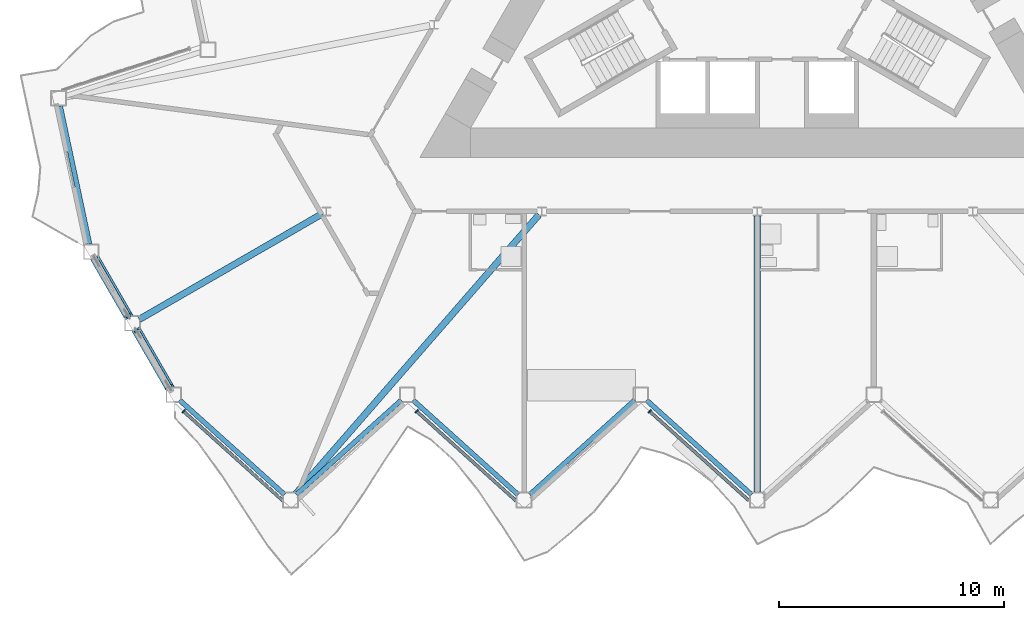
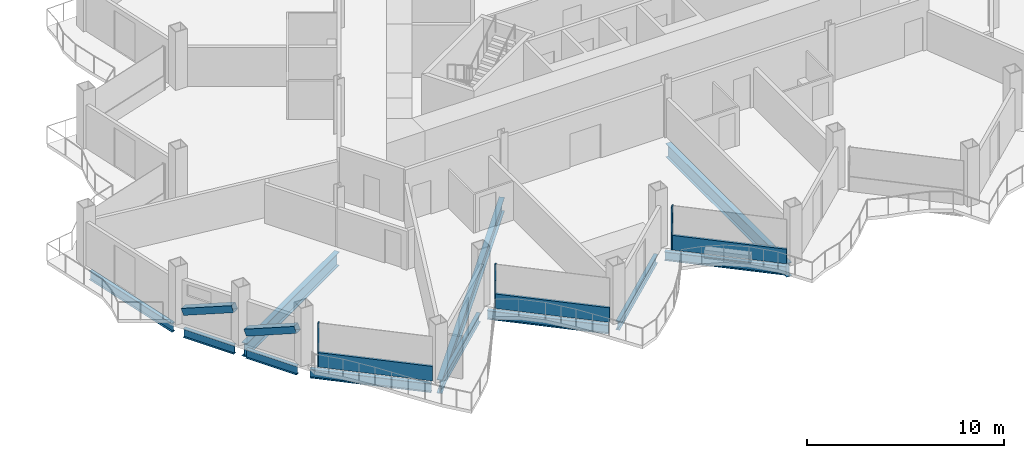
# One storey, part 4 of 23: 11 beams, 8 members, 3 elements without a shape of their own.
"""IFC4 building model written with IfcOpenShell, lengths in metres."""

from ifc_helpers import new_model, si_unit, direction, frame, origin, origin_2d, place, context, subcontext, project, spatial, rectangle, hollow_rectangle, i_section, extrude, material, layer, layer_set, material_profile, profile_set, type_object, element, aggregate, save


model = new_model("IFC4")

# Units and contexts
model_context = context("Model", 3, precision=1e-05, world=origin(), true_north=direction((0.0, 1.0)))
body_context = subcontext(model_context, "Body", "Model", "MODEL_VIEW")
ifc_project = project(units=[si_unit("LENGTHUNIT", "METRE"), si_unit("AREAUNIT", "SQUARE_METRE"), si_unit("VOLUMEUNIT", "CUBIC_METRE"), si_unit("PLANEANGLEUNIT", "RADIAN"), si_unit("MASSUNIT", "GRAM", prefix="KILO")], contexts=[model_context])

# Site, building, storey
site_placement = place(None, origin())
site = spatial("IfcSite", under=ifc_project, at=site_placement, CompositionType="ELEMENT")
building_placement = place(site_placement, origin())
building = spatial("IfcBuilding", under=site, at=building_placement, Name="Cormorant Prow Tower", CompositionType="ELEMENT")
storey_placement = place(building_placement, frame((0.0, 0.0, 252.60009765625)))
storey = spatial("IfcBuildingStorey", under=building, at=storey_placement, Name="L56", CompositionType="ELEMENT", Elevation=252.60009765625)

# Members
ifc_material_1 = material(Name="Structural steel ASTM A500 Gr C", Category="steel")
ifc_material_profile_1 = material_profile(ifc_material_1, hollow_rectangle(XDim=0.406494140625, YDim=0.406494140625, WallThickness=0.01171875, at=origin_2d()), Name="HSS16x16x1/2")
ifc_profile_set_1 = profile_set([ifc_material_profile_1], Name="Structural steel ASTM A500 Gr C")
member_type_1 = type_object("IfcMemberType", Name="Chamfer brace HSS16x16x1/2", PredefinedType="BRACE", material=ifc_profile_set_1)
for number, where, z_axis, x_axis, name in (
    (1, (-29.4287109375, -13.174560546875, 0.74951171875), (0.462773096913, -0.801606962687, 0.378506721399), (0.866041729639, 0.499971721724, 0.0), "Chamfer brace BR2 at WSW00 L56"),
    (2, (-27.593505859375, -16.353271484375, 0.74951171875), (0.462773096913, -0.801606962687, 0.378506721399), (0.866041729639, 0.499971721724, 0.0), "Chamfer brace BR2 at WSW01 L56"),
):
    element("IfcMember", number, at=place(storey_placement, frame(where, z_axis=z_axis, x_axis=x_axis)), inside=storey, type_object=member_type_1, Name=name, PredefinedType="BRACE", context=body_context, shape_type="SweptSolid", body=[
        extrude(hollow_rectangle(XDim=0.406494140625, YDim=0.406494140625, WallThickness=0.01171875, at=origin_2d()), origin(), (0.0, 0.0, 1.0), 3.17529296875),
    ])

# Curtain wall, member
ifc_material_2 = material(Name="Aluminium 6063-T6", Category="aluminium")
ifc_layer = layer(ifc_material_2, 0.179931640625)
ifc_layer_set = layer_set([ifc_layer], Name="Aluminium 6063-T6")
curtain_wall_type = type_object("IfcCurtainWallType", Name="Hotel unitised curtain wall 180", PredefinedType="NOTDEFINED", material=ifc_layer_set)
curtain_wall_1_placement = place(storey_placement, origin())
curtain_wall_1 = element("IfcCurtainWall", 3, at=curtain_wall_1_placement, inside=storey, type_object=curtain_wall_type, Name="Hotel curtain wall S00", PredefinedType="NOTDEFINED")
ifc_material_3 = material(Name="Aluminium 6063-T6", Category="aluminium")
ifc_material_profile_2 = material_profile(ifc_material_3, rectangle(XDim=0.179931640625, YDim=0.06005859375, at=origin_2d()), Name="Hotel mullion 60x180")
ifc_profile_set_2 = profile_set([ifc_material_profile_2], Name="Aluminium 6063-T6")
member_type_2 = type_object("IfcMemberType", Name="Hotel mullion 60x180", PredefinedType="MULLION", material=ifc_profile_set_2)
member_1_placement = place(storey_placement, frame((-25.5029296875, -19.94873046875, 0.0), z_axis=(0.0, 0.0, 1.0), x_axis=(0.669130602377, 0.743144829063, 0.0)))
member_1 = element("IfcMember", 4, at=member_1_placement, type_object=member_type_2, Name="Hotel mullion S00", PredefinedType="MULLION", context=body_context, shape_type="SweptSolid", body=[
    extrude(rectangle(XDim=0.179931640625, YDim=0.06005859375, at=origin_2d()), origin(), (0.0, 0.0, 1.0), 2.70068359375),
])

curtain_wall_2_placement = place(storey_placement, origin())
curtain_wall_2 = element("IfcCurtainWall", 5, at=curtain_wall_2_placement, inside=storey, type_object=curtain_wall_type, Name="Hotel curtain wall S02", PredefinedType="NOTDEFINED")
member_2_placement = place(storey_placement, frame((-15.143798828125, -19.94873046875, 0.0), z_axis=(0.0, 0.0, 1.0), x_axis=(0.669130602377, 0.743144829063, 0.0)))
member_2 = element("IfcMember", 6, at=member_2_placement, type_object=member_type_2, Name="Hotel mullion S02", PredefinedType="MULLION", context=body_context, shape_type="SweptSolid", body=[
    extrude(rectangle(XDim=0.179931640625, YDim=0.06005859375, at=origin_2d()), origin(), (0.0, 0.0, 1.0), 2.70068359375),
])

curtain_wall_3_placement = place(storey_placement, origin())
curtain_wall_3 = element("IfcCurtainWall", 7, at=curtain_wall_3_placement, inside=storey, type_object=curtain_wall_type, Name="Hotel curtain wall S04", PredefinedType="NOTDEFINED")
member_3_placement = place(storey_placement, frame((-4.784912109375, -19.94873046875, 0.0), z_axis=(0.0, 0.0, 1.0), x_axis=(0.669130602377, 0.743144829063, 0.0)))
member_3 = element("IfcMember", 8, at=member_3_placement, type_object=member_type_2, Name="Hotel mullion S04", PredefinedType="MULLION", context=body_context, shape_type="SweptSolid", body=[
    extrude(rectangle(XDim=0.179931640625, YDim=0.06005859375, at=origin_2d()), origin(), (0.0, 0.0, 1.0), 2.70068359375),
])

# Member
ifc_material_4 = material(Name="Terracotta", Category="masonry")
ifc_material_profile_3 = material_profile(ifc_material_4, rectangle(XDim=0.139892578125, YDim=0.89990234375, at=origin_2d()), Name="Hotel terracotta spandrel rail 140x900")
ifc_profile_set_3 = profile_set([ifc_material_profile_3], Name="Terracotta")
member_type_3 = type_object("IfcMemberType", Name="Hotel terracotta spandrel rail 140x900", PredefinedType="USERDEFINED", material=ifc_profile_set_3)
member_4_placement = place(storey_placement, frame((-25.480712890625, -19.968994140625, 0.449951171875), z_axis=(0.743164674775, -0.669108560823, 0.0), x_axis=(0.669108560823, 0.743164674775, 0.0)))
member_4 = element("IfcMember", 9, at=member_4_placement, type_object=member_type_3, Name="Hotel spandrel rail S00", ObjectType="TRANSOM", PredefinedType="USERDEFINED", context=body_context, shape_type="SweptSolid", body=[
    extrude(rectangle(XDim=0.139892578125, YDim=0.89990234375, at=origin_2d()), origin(), (0.0, 0.0, 1.0), 5.90771484375),
])

aggregate(curtain_wall_1, [member_1, member_4])

member_5_placement = place(storey_placement, frame((-15.12158203125, -19.968994140625, 0.449951171875), z_axis=(0.743146172033, -0.669129110854, 0.0), x_axis=(0.669129110854, 0.743146172033, 0.0)))
member_5 = element("IfcMember", 10, at=member_5_placement, type_object=member_type_3, Name="Hotel spandrel rail S02", ObjectType="TRANSOM", PredefinedType="USERDEFINED", context=body_context, shape_type="SweptSolid", body=[
    extrude(rectangle(XDim=0.139892578125, YDim=0.89990234375, at=origin_2d()), origin(), (0.0, 0.0, 1.0), 5.907470703125),
])

aggregate(curtain_wall_2, [member_2, member_5])

member_6_placement = place(storey_placement, frame((-4.7626953125, -19.968994140625, 0.449951171875), z_axis=(0.743164674775, -0.669108560823, 0.0), x_axis=(0.669108560823, 0.743164674775, 0.0)))
member_6 = element("IfcMember", 11, at=member_6_placement, type_object=member_type_3, Name="Hotel spandrel rail S04", ObjectType="TRANSOM", PredefinedType="USERDEFINED", context=body_context, shape_type="SweptSolid", body=[
    extrude(rectangle(XDim=0.139892578125, YDim=0.89990234375, at=origin_2d()), origin(), (0.0, 0.0, 1.0), 5.90771484375),
])

aggregate(curtain_wall_3, [member_3, member_6])

# Beams
ifc_material_5 = material(Name="Structural steel ASTM A992 Gr 50", Category="steel")
ifc_material_profile_4 = material_profile(ifc_material_5, i_section(OverallWidth=0.29296875, OverallDepth=0.845703125, WebThickness=0.015380859375, FlangeThickness=0.0244140625, at=origin_2d()), Name="W33x141")
ifc_profile_set_4 = profile_set([ifc_material_profile_4], Name="Structural steel ASTM A992 Gr 50")
beam_type_1 = type_object("IfcBeamType", Name="Radial floor beam W33x141", PredefinedType="BEAM", material=ifc_profile_set_4)
beam_1_placement = place(storey_placement, frame((-19.32958984375, -11.159912109375, -0.77294921875), z_axis=(-0.866021726843, -0.500006368596, 0.0), x_axis=(0.500006368596, -0.866021726843, 0.0)))
element("IfcBeam", 12, at=beam_1_placement, inside=storey, type_object=beam_type_1, Name="Radial floor beam FB2 5 L56", PredefinedType="BEAM", context=body_context, shape_type="SweptSolid", body=[
    extrude(i_section(OverallWidth=0.29296875, OverallDepth=0.845703125, WebThickness=0.015380859375, FlangeThickness=0.0244140625, at=origin_2d()), origin(), (0.0, 0.0, 1.0), 9.40380859375),
])
beam_2_placement = place(storey_placement, frame((-9.70947265625, -11.210693359375, -0.77294921875), z_axis=(-0.656874593387, -0.753999846527, 0.0), x_axis=(0.753999846527, -0.656874593387, 0.0)))
element("IfcBeam", 13, at=beam_2_placement, inside=storey, type_object=beam_type_1, Name="Radial floor beam FB2 6 L56", PredefinedType="BEAM", context=body_context, shape_type="SweptSolid", body=[
    extrude(i_section(OverallWidth=0.29296875, OverallDepth=0.845703125, WebThickness=0.015380859375, FlangeThickness=0.0244140625, at=origin_2d()), origin(), (0.0, 0.0, 1.0), 16.4619140625),
])
beam_3_placement = place(storey_placement, frame((0.0, -11.259765625, -0.77294921875), z_axis=(0.0, -1.0, 0.0), x_axis=(1.0, 0.0, 0.0)))
element("IfcBeam", 14, at=beam_3_placement, inside=storey, type_object=beam_type_1, Name="Radial floor beam FB2 7 L56", PredefinedType="BEAM", context=body_context, shape_type="SweptSolid", body=[
    extrude(i_section(OverallWidth=0.29296875, OverallDepth=0.845703125, WebThickness=0.015380859375, FlangeThickness=0.0244140625, at=origin_2d()), origin(), (0.0, 0.0, 1.0), 12.277099609375),
])
ifc_material_6 = material(Name="Structural steel ASTM A992 Gr 50", Category="steel")
ifc_material_profile_5 = material_profile(ifc_material_6, i_section(OverallWidth=0.2138671875, OverallDepth=0.549072265625, WebThickness=0.0146484375, FlangeThickness=0.023681640625, at=origin_2d()), Name="W21x93")
ifc_profile_set_5 = profile_set([ifc_material_profile_5], Name="Structural steel ASTM A992 Gr 50")
beam_type_2 = type_object("IfcBeamType", Name="Spandrel beam W21x93", PredefinedType="SPANDREL", material=ifc_profile_set_5)
for number, where, z_axis, x_axis, name in (
    (15, (-25.68115234375, -19.44970703125, -0.624755859375), (0.743156918576, -0.669117175368, 0.0), (0.669117175368, 0.743156918576, 0.0), "Spandrel beam SB2 S00-S01 L56"),
    (16, (-20.492919921875, -23.65283203125, -0.624755859375), (0.743156918576, 0.669117175368, 0.0), (-0.669117175368, 0.743156918576, 0.0), "Spandrel beam SB2 S01-S02 L56"),
    (17, (-15.3046875, -19.44970703125, -0.624755859375), (0.743156918576, -0.669117175368, 0.0), (0.669117175368, 0.743156918576, 0.0), "Spandrel beam SB2 S02-S03 L56"),
    (18, (-10.116455078125, -23.65283203125, -0.624755859375), (0.743156918576, 0.669117175368, 0.0), (-0.669117175368, 0.743156918576, 0.0), "Spandrel beam SB2 S03-S04 L56"),
    (19, (-4.92822265625, -19.44970703125, -0.624755859375), (0.743156918576, -0.669117175368, 0.0), (0.669117175368, 0.743156918576, 0.0), "Spandrel beam SB2 S04-S05 L56"),
):
    element("IfcBeam", number, at=place(storey_placement, frame(where, z_axis=z_axis, x_axis=x_axis)), inside=storey, type_object=beam_type_2, Name=name, PredefinedType="SPANDREL", context=body_context, shape_type="SweptSolid", body=[
        extrude(i_section(OverallWidth=0.2138671875, OverallDepth=0.549072265625, WebThickness=0.0146484375, FlangeThickness=0.023681640625, at=origin_2d()), origin(), (0.0, 0.0, 1.0), 6.281494140625),
    ])
beam_4_placement = place(storey_placement, frame((-30.990478515625, -6.37158203125, -0.624755859375), z_axis=(0.207941499013, -0.978141264331, 0.0), x_axis=(0.978141264331, 0.207941499013, 0.0)))
element("IfcBeam", 20, at=beam_4_placement, inside=storey, type_object=beam_type_2, Name="Spandrel beam SB2 WNW09-WSW00 L56", PredefinedType="SPANDREL", context=body_context, shape_type="SweptSolid", body=[
    extrude(i_section(OverallWidth=0.2138671875, OverallDepth=0.549072265625, WebThickness=0.0146484375, FlangeThickness=0.023681640625, at=origin_2d()), origin(), (0.0, 0.0, 1.0), 6.28125),
])
for number, where, z_axis, x_axis, name in (
    (21, (-29.4365234375, -13.1611328125, -0.624755859375), (0.499966725515, -0.866044613965, 0.0), (0.866044613965, 0.499966725515, 0.0), "Spandrel beam SB2 WSW00-WSW01 L56"),
    (22, (-27.601318359375, -16.33984375, -0.624755859375), (0.499966725515, -0.866044613965, 0.0), (0.866044613965, 0.499966725515, 0.0), "Spandrel beam SB2 WSW01-S00 L56"),
):
    element("IfcBeam", number, at=place(storey_placement, frame(where, z_axis=z_axis, x_axis=x_axis)), inside=storey, type_object=beam_type_2, Name=name, PredefinedType="SPANDREL", context=body_context, shape_type="SweptSolid", body=[
        extrude(i_section(OverallWidth=0.2138671875, OverallDepth=0.549072265625, WebThickness=0.0146484375, FlangeThickness=0.023681640625, at=origin_2d()), origin(), (0.0, 0.0, 1.0), 2.970458984375),
    ])

save(model, "model.ifc")
